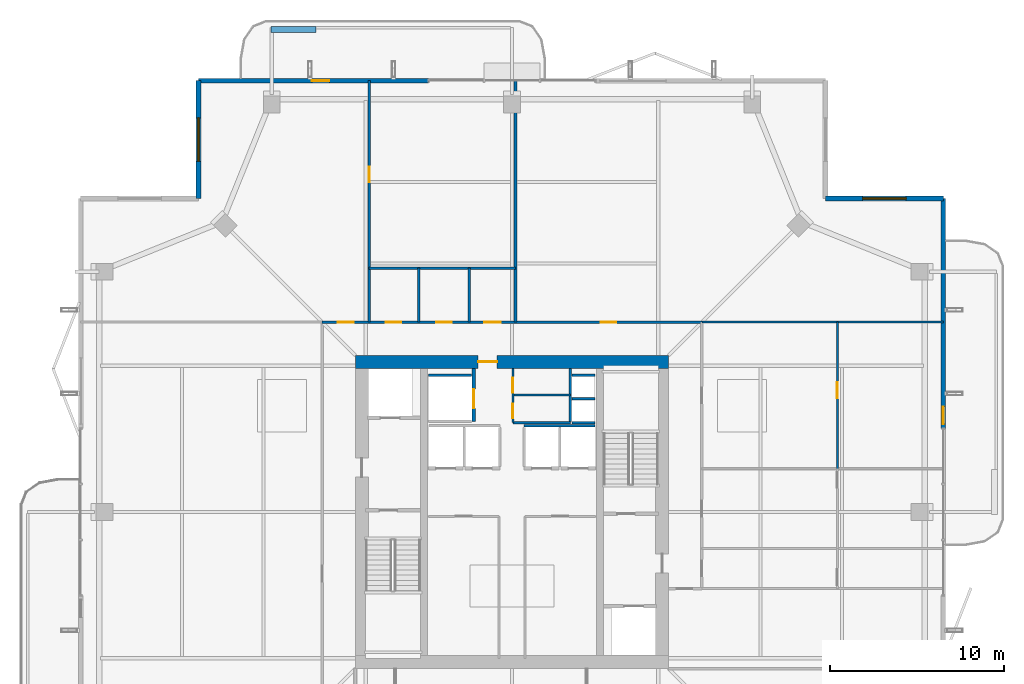
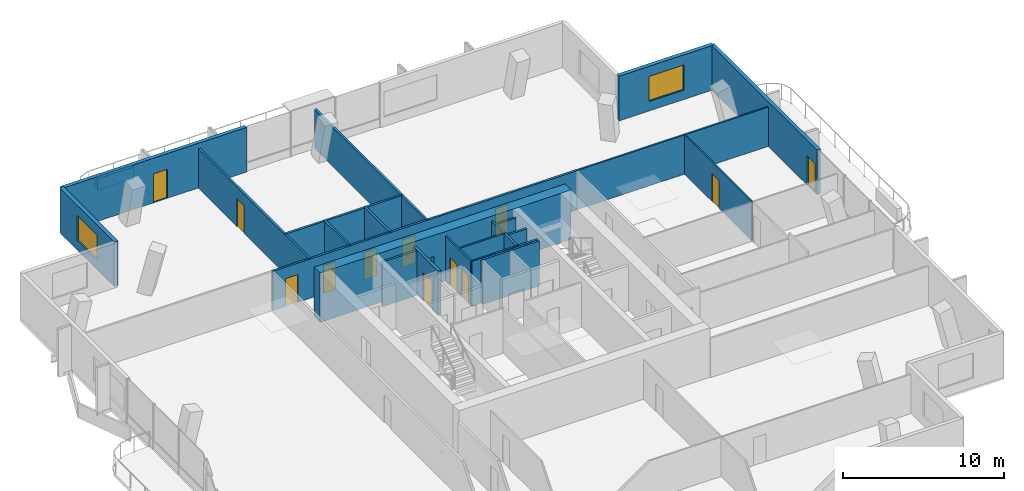
# One storey, part 20 of 25: 24 walls, 13 doors, 2 windows, 15 openings.
"""IFC4 building model written with IfcOpenShell, lengths in metres."""

import ifcopenshell
import ifcopenshell.guid

model = None  # the IFC model being written
_history = None  # IfcOwnerHistory: only IFC2X3 demands one
_inside = {}  # id of a spatial element -> (the spatial element, [elements in it])
_under = {}  # id of a project, library or spatial element -> (it, [spatial elements below it])
_declared = {}  # id of a project -> (the project, [libraries it declares])
_typed = {}  # id of a type object -> (the type object, [elements of that type])
_made_of = {}  # id of a material, layer set ... -> (it, [elements and type objects made of it])


def new_model(schema):
    """Start an empty IFC model of exactly this schema.

    Asked for "IFC4X3", IfcOpenShell would pick the latest addendum, in which some entities
    have other attributes; the version numbers below select the first issue.
    IFC2X3 requires an IfcOwnerHistory on every rooted entity: one is made here for all.
    """
    global model, _history
    if schema == "IFC4X3":
        model = ifcopenshell.file(schema_version=(4, 3, 0, 0))
    else:
        model = ifcopenshell.file(schema=schema)
    _inside.clear()
    _under.clear()
    _declared.clear()
    _typed.clear()
    _made_of.clear()
    _history = None
    if model.schema == "IFC2X3":
        org = make("IfcOrganization", Name="unknown")
        user = make(
            "IfcPersonAndOrganization",
            ThePerson=make("IfcPerson", FamilyName="unknown"),
            TheOrganization=org,
        )
        app = make(
            "IfcApplication",
            ApplicationDeveloper=org,
            Version="unknown",
            ApplicationFullName="unknown",
            ApplicationIdentifier="unknown",
        )
        _history = make(
            "IfcOwnerHistory",
            OwningUser=user,
            OwningApplication=app,
            ChangeAction="ADDED",
            CreationDate=0,
        )
    return model


def make(cls, **values):
    """One entity of the class cls with the attributes given. An attribute that is None is left unset."""
    return model.create_entity(
        cls, **{name: value for name, value in values.items() if value is not None}
    )


def rooted(cls, **values):
    """An entity with a GlobalId (a new one), such as an element, a storey or a relation."""
    return make(cls, GlobalId=ifcopenshell.guid.new(), OwnerHistory=_history, **values)


def si_unit(unit_type, name, prefix=None):
    """IfcSIUnit, for example si_unit("LENGTHUNIT", "METRE", prefix="MILLI")."""
    return make("IfcSIUnit", UnitType=unit_type, Prefix=prefix, Name=name)


def assignment(units):
    """IfcUnitAssignment: the units of a project."""
    return None if units is None else make("IfcUnitAssignment", Units=units)


def point(xyz):
    """IfcCartesianPoint."""
    return None if xyz is None else make("IfcCartesianPoint", Coordinates=xyz)


def direction(xyz):
    """IfcDirection."""
    return None if xyz is None else make("IfcDirection", DirectionRatios=xyz)


def frame(location, z_axis=None, x_axis=None):
    """IfcAxis2Placement3D, a coordinate frame: its origin and axes. An axis left out is left unset."""
    return make(
        "IfcAxis2Placement3D",
        Location=point(location),
        Axis=direction(z_axis),
        RefDirection=direction(x_axis),
    )


def frame_2d(location, x_axis=None):
    """IfcAxis2Placement2D, a coordinate frame in the plane: its origin and x axis."""
    return make(
        "IfcAxis2Placement2D", Location=point(location), RefDirection=direction(x_axis)
    )


def origin():
    """The frame at (0, 0, 0) with its axes left unset."""
    return frame((0.0, 0.0, 0.0))


def place(relative_to, where):
    """IfcLocalPlacement: puts the frame where relative to a parent placement (None: the world)."""
    return make(
        "IfcLocalPlacement", PlacementRelTo=relative_to, RelativePlacement=where
    )


def context(
    kind, dimensions, precision=None, world=None, true_north=None, identifier=None
):
    """IfcGeometricRepresentationContext, for example the 3D "Model" context."""
    return make(
        "IfcGeometricRepresentationContext",
        ContextIdentifier=identifier,
        ContextType=kind,
        CoordinateSpaceDimension=dimensions,
        Precision=precision,
        WorldCoordinateSystem=world,
        TrueNorth=true_north,
    )


def subcontext(parent, identifier, kind, view, scale=None):
    """IfcGeometricRepresentationSubContext, for example "Body" below "Model"."""
    return make(
        "IfcGeometricRepresentationSubContext",
        ContextIdentifier=identifier,
        ContextType=kind,
        ParentContext=parent,
        TargetScale=scale,
        TargetView=view,
    )


def project(units=None, contexts=None):
    """IfcProject with its units and contexts."""
    return rooted(
        "IfcProject",
        Name="project",
        RepresentationContexts=contexts,
        UnitsInContext=assignment(units),
    )


def spatial(cls, under=None, at=None, **own):
    """A site, building, storey or space (cls), placed at a placement, below another one or the project."""
    s = rooted(cls, ObjectPlacement=at, **own)
    if under is not None:
        _under.setdefault(under.id(), (under, []))[1].append(s)
    return s


def profile(cls, at=None, kind="AREA", **sizes):
    """A parametric profile (cls). Its sizes go by their IFC names, for example OverallWidth=200.0."""
    return make(cls, ProfileType=kind, Position=at, **sizes)


def rectangle(**sizes):
    """IfcRectangleProfileDef."""
    return profile("IfcRectangleProfileDef", **sizes)


def extrude(swept, where, along, depth):
    """IfcExtrudedAreaSolid: the profile swept, set in the frame where, extruded along a direction by depth."""
    return make(
        "IfcExtrudedAreaSolid",
        SweptArea=swept,
        Position=where,
        ExtrudedDirection=direction(along),
        Depth=depth,
    )


def shape(context_of_items, identifier, shape_type, items):
    """IfcShapeRepresentation: the items that make up one representation, for example the "Body"."""
    return make(
        "IfcShapeRepresentation",
        ContextOfItems=context_of_items,
        RepresentationIdentifier=identifier,
        RepresentationType=shape_type,
        Items=items,
    )


def material(Name=None, Category=None):
    """IfcMaterial."""
    return make("IfcMaterial", Name=Name, Category=Category)


def layer(
    of_material, thickness, ventilated=None, Name=None, Category=None, Priority=None
):
    """IfcMaterialLayer: one layer of a wall or slab, of a material (None: an air gap)."""
    return make(
        "IfcMaterialLayer",
        Material=of_material,
        LayerThickness=thickness,
        IsVentilated=ventilated,
        Name=Name,
        Category=Category,
        Priority=Priority,
    )


def layer_set(layers, Name=None):
    """IfcMaterialLayerSet."""
    return make("IfcMaterialLayerSet", MaterialLayers=layers, LayerSetName=Name)


def made_of(thing, what):
    """Note that an element or type object is made of a material, layer set ...; save() writes the relation."""
    if what is not None:
        _made_of.setdefault(what.id(), (what, []))[1].append(thing)
    return thing


def type_object(cls, material=None, **own):
    """A type object (cls), such as IfcWallType, which elements share."""
    return made_of(rooted(cls, **own), material)


def element(
    cls,
    number,
    at=None,
    inside=None,
    cuts=None,
    type_object=None,
    material=None,
    context=None,
    identifier="Body",
    shape_type=None,
    held_by="IfcProductDefinitionShape",
    body=None,
    shapes=None,
    **own,
):
    """One element of the class cls, such as IfcWall. Its Tag is "e" and its number.

    at: its placement. inside: the storey or other place that contains it. cuts: it is an
    opening in that element (IfcRelVoidsElement). A single representation is given by context,
    identifier, shape_type and body (its items); several are given by shapes. held_by: the class
    of the entity that holds the representations. save() writes the other relations.
    """
    e = rooted(cls, Tag="e%d" % number, ObjectPlacement=at, **own)
    if body is not None:
        shapes = [shape(context, identifier, shape_type, body)]
    if shapes is not None:
        e.Representation = make(held_by, Representations=shapes)
    if inside is not None:
        _inside.setdefault(inside.id(), (inside, []))[1].append(e)
    if cuts is not None:
        rooted(
            "IfcRelVoidsElement", RelatingBuildingElement=cuts, RelatedOpeningElement=e
        )
    if type_object is not None:
        _typed.setdefault(type_object.id(), (type_object, []))[1].append(e)
    return made_of(e, material)


def fill(opening, filler):
    """IfcRelFillsElement: the door or window that sits in an opening."""
    return rooted(
        "IfcRelFillsElement",
        RelatingOpeningElement=opening,
        RelatedBuildingElement=filler,
    )


def aggregate(whole, parts):
    """IfcRelAggregates: a whole, such as a stair, and the parts it consists of."""
    return rooted("IfcRelAggregates", RelatingObject=whole, RelatedObjects=parts)


def save(model, path):
    """Write the relations noted so far, then the file.

    IfcRelAggregates (storeys below a building ...), IfcRelContainedInSpatialStructure (elements
    in a storey), IfcRelDefinesByType, IfcRelAssociatesMaterial and IfcRelDeclares: one each for
    every whole, place, type object, material and project.
    """
    for whole, parts in _under.values():
        aggregate(whole, parts)
    for where, things in _inside.values():
        rooted(
            "IfcRelContainedInSpatialStructure",
            RelatedElements=things,
            RelatingStructure=where,
        )
    for kind, things in _typed.values():
        rooted("IfcRelDefinesByType", RelatedObjects=things, RelatingType=kind)
    for what, things in _made_of.values():
        rooted("IfcRelAssociatesMaterial", RelatedObjects=things, RelatingMaterial=what)
    for by, libraries in _declared.values():
        rooted("IfcRelDeclares", RelatingContext=by, RelatedDefinitions=libraries)
    model.write(path)


model = new_model("IFC4")

# Units and contexts
model_context = context("Model", 3, precision=1e-05, world=origin(), true_north=direction((0.0, 1.0)))
body_context = subcontext(model_context, "Body", "Model", "MODEL_VIEW")
ifc_project = project(units=[si_unit("LENGTHUNIT", "METRE"), si_unit("AREAUNIT", "SQUARE_METRE"), si_unit("VOLUMEUNIT", "CUBIC_METRE"), si_unit("PLANEANGLEUNIT", "RADIAN"), si_unit("MASSUNIT", "GRAM", prefix="KILO")], contexts=[model_context])

# Site, building, storey
site_placement = place(None, origin())
site = spatial("IfcSite", under=ifc_project, at=site_placement, CompositionType="ELEMENT")
building_placement = place(site_placement, origin())
building = spatial("IfcBuilding", under=site, at=building_placement, Name="Belovzor Exchange Tower", CompositionType="ELEMENT")
storey_placement = place(building_placement, frame((0.0, 0.0, 280.35009765625)))
storey = spatial("IfcBuildingStorey", under=building, at=storey_placement, Name="L70", CompositionType="ELEMENT", Elevation=280.35009765625)

# Wall
ifc_material_1 = material(Name="Acoustic Plasterboard on Galvanised Studs", Category="gypsum")
ifc_layer_1 = layer(ifc_material_1, 0.1201171875)
ifc_layer_set_1 = layer_set([ifc_layer_1], Name="Acoustic Plasterboard on Galvanised Studs")
wall_type_1 = type_object("IfcWallType", Name="Acoustic Double-Stud Partition Wall 120", PredefinedType="PARTITIONING", material=ifc_layer_set_1)
wall_1_placement = place(storey_placement, frame((39.699951171875, 39.699951171875, 0.0), z_axis=(0.0, 0.0, 1.0), x_axis=(1.0, 0.0, 0.0)))
element("IfcWall", 1, at=wall_1_placement, inside=storey, type_object=wall_type_1, Name="W-P120 Partition Wall W-L70-END-NE", PredefinedType="PARTITIONING", context=body_context, shape_type="SweptSolid", body=[
    extrude(rectangle(XDim=13.8701171875, YDim=0.1201171875, at=frame_2d((6.93505859375, 0.0))), origin(), (0.0, 0.0, 1.0), 2.974853515625),
])

# Wall, opening, door
ifc_material_2 = material(Name="Acoustic Laminated Glass and Aluminium", Category="aluminium")
ifc_layer_2 = layer(ifc_material_2, 0.10009765625)
ifc_layer_set_2 = layer_set([ifc_layer_2], Name="Acoustic Laminated Glass and Aluminium")
wall_type_2 = type_object("IfcWallType", Name="Demountable Executive Glass Partition 100", PredefinedType="MOVABLE", material=ifc_layer_set_2)
wall_2_placement = place(storey_placement, frame((47.485107421875, 31.281982421875, 0.0), z_axis=(0.0, 0.0, 1.0), x_axis=(0.0, 1.0, 0.0)))
wall_2 = element("IfcWall", 2, at=wall_2_placement, inside=storey, type_object=wall_type_2, Name="W-M100 Partition Wall W-L70-EHDIV-2", PredefinedType="MOVABLE", context=body_context, shape_type="SweptSolid", body=[
    extrude(rectangle(XDim=8.41796875, YDim=0.10009765625, at=frame_2d((4.208984375, 0.0))), origin(), (0.0, 0.0, 1.0), 2.974853515625),
])
opening_1_placement = place(wall_2_placement, frame((4.055908203125, 0.0, 0.0)))
opening_1 = element("IfcOpeningElement", 3, at=opening_1_placement, cuts=wall_2, Name="Opening D-INT-090", PredefinedType="OPENING", context=body_context, shape_type="SweptSolid", body=[
    extrude(rectangle(XDim=0.89990234375, YDim=2.10009765625, at=frame_2d((0.449951171875, 1.050048828125))), frame((0.0, 0.06005859375, 0.0), z_axis=(0.0, -1.0, 0.0), x_axis=(1.0, 0.0, 0.0)), (0.0, 0.0, 1.0), 0.1201171875),
])
ifc_material_3 = material(Name="Veneered Hardwood Acoustic Leaf", Category="wood")
door_type_1 = type_object("IfcDoorType", Name="Trading Suite Acoustic Single Door 900x2100", OperationType="NOTDEFINED", PredefinedType="DOOR", material=ifc_material_3)
door_1_placement = place(opening_1_placement, origin())
door_1 = element("IfcDoor", 4, at=door_1_placement, inside=storey, type_object=door_type_1, Name="D-INT-090 Trading Suite Acoustic Single Door 900x2100", OperationType="SINGLE_SWING_RIGHT", OverallHeight=2.10009765625, OverallWidth=0.89990234375, PredefinedType="DOOR", context=body_context, shape_type="SweptSolid", body=[
    extrude(rectangle(XDim=0.89990234375, YDim=2.10009765625, at=frame_2d((0.449951171875, 1.050048828125))), frame((0.0, 0.02490234375, 0.0), z_axis=(0.0, -1.0, 0.0), x_axis=(1.0, 0.0, 0.0)), (0.0, 0.0, 1.0), 0.050048828125),
])
fill(opening_1, door_1)

# Wall, openings, doors
ifc_material_4 = material(Name="Fire-Rated Plasterboard on Galvanised Studs", Category="gypsum")
ifc_layer_3 = layer(ifc_material_4, 0.1201171875)
ifc_layer_set_3 = layer_set([ifc_layer_3], Name="Fire-Rated Plasterboard on Galvanised Studs")
wall_type_3 = type_object("IfcWallType", Name="Fire-Rated Double-Stud Partition Wall 120", PredefinedType="PARTITIONING", material=ifc_layer_set_3)
wall_3_placement = place(storey_placement, frame((28.85009765625, 33.925048828125, 0.0), z_axis=(0.0, 0.0, 1.0), x_axis=(0.0, 1.0, 0.0)))
wall_3 = element("IfcWall", 5, at=wall_3_placement, inside=storey, type_object=wall_type_3, Name="W-P120F Partition Wall W-CRV-L70-W", PredefinedType="PARTITIONING", context=body_context, shape_type="SweptSolid", body=[
    extrude(rectangle(XDim=3.125, YDim=0.1201171875, at=frame_2d((1.5625, 0.0))), origin(), (0.0, 0.0, 1.0), 3.389892578125),
])
opening_2_placement = place(wall_3_placement, frame((0.25, 0.0, 0.0)))
opening_2 = element("IfcOpeningElement", 6, at=opening_2_placement, cuts=wall_3, Name="Opening D-FD60-085", PredefinedType="OPENING", context=body_context, shape_type="SweptSolid", body=[
    extrude(rectangle(XDim=0.85009765625, YDim=2.10009765625, at=frame_2d((0.425048828125, 1.050048828125))), frame((0.0, 0.070068359375, 0.0), z_axis=(0.0, -1.0, 0.0), x_axis=(1.0, 0.0, 0.0)), (0.0, 0.0, 1.0), 0.14013671875),
])
opening_3_placement = place(wall_3_placement, frame((1.719970703125, 0.0, 0.0)))
opening_3 = element("IfcOpeningElement", 7, at=opening_3_placement, cuts=wall_3, Name="Opening D-FD60-085", PredefinedType="OPENING", context=body_context, shape_type="SweptSolid", body=[
    extrude(rectangle(XDim=0.85009765625, YDim=2.10009765625, at=frame_2d((0.425048828125, 1.050048828125))), frame((0.0, 0.070068359375, 0.0), z_axis=(0.0, -1.0, 0.0), x_axis=(1.0, 0.0, 0.0)), (0.0, 0.0, 1.0), 0.14013671875),
])
ifc_material_5 = material(Name="Fire-Rated Steel Access Leaf", Category="steel")
door_type_2 = type_object("IfcDoorType", Name="Riser & Meter Closet Access Fire Door 850x2100", OperationType="NOTDEFINED", PredefinedType="DOOR", material=ifc_material_5)
door_2_placement = place(opening_2_placement, origin())
door_2 = element("IfcDoor", 8, at=door_2_placement, inside=storey, type_object=door_type_2, Name="D-FD60-085 Riser & Meter Closet Access Fire Door 850x2100", OperationType="SINGLE_SWING_LEFT", OverallHeight=2.10009765625, OverallWidth=0.85009765625, PredefinedType="DOOR", context=body_context, shape_type="SweptSolid", body=[
    extrude(rectangle(XDim=0.85009765625, YDim=2.10009765625, at=frame_2d((0.425048828125, 1.050048828125))), frame((0.0, 0.02490234375, 0.0), z_axis=(0.0, -1.0, 0.0), x_axis=(1.0, 0.0, 0.0)), (0.0, 0.0, 1.0), 0.050048828125),
])
fill(opening_2, door_2)
door_3_placement = place(opening_3_placement, origin())
door_3 = element("IfcDoor", 9, at=door_3_placement, inside=storey, type_object=door_type_2, Name="D-FD60-085 Riser & Meter Closet Access Fire Door 850x2100", OperationType="SINGLE_SWING_RIGHT", OverallHeight=2.10009765625, OverallWidth=0.85009765625, PredefinedType="DOOR", context=body_context, shape_type="SweptSolid", body=[
    extrude(rectangle(XDim=0.85009765625, YDim=2.10009765625, at=frame_2d((0.425048828125, 1.050048828125))), frame((0.0, 0.02490234375, 0.0), z_axis=(0.0, -1.0, 0.0), x_axis=(1.0, 0.0, 0.0)), (0.0, 0.0, 1.0), 0.050048828125),
])
fill(opening_3, door_3)

# Walls
for number, where, z_axis, x_axis, name in (
    (10, (28.85009765625, 35.52490234375, 0.0), (0.0, 0.0, 1.0), (1.0, 0.0, 0.0), "W-P120F Partition Wall W-CRV-L70-M"),
    (11, (28.85009765625, 33.925048828125, 0.0), (0.0, 0.0, 1.0), (1.0, 0.0, 0.0), "W-P120F Partition Wall W-CRV-L70-S"),
):
    element("IfcWall", number, at=place(storey_placement, frame(where, z_axis=z_axis, x_axis=x_axis)), inside=storey, type_object=wall_type_3, Name=name, PredefinedType="PARTITIONING", context=body_context, shape_type="SweptSolid", body=[
        extrude(rectangle(XDim=3.2998046875, YDim=0.1201171875, at=frame_2d((1.64990234375, 0.0))), origin(), (0.0, 0.0, 1.0), 3.389892578125),
    ])
ifc_material_6 = material(Name="Fire-Rated Gypsum Block and Mineral Wool", Category="gypsum")
ifc_layer_4 = layer(ifc_material_6, 0.14990234375)
ifc_layer_set_4 = layer_set([ifc_layer_4], Name="Fire-Rated Gypsum Block and Mineral Wool")
wall_type_4 = type_object("IfcWallType", Name="Fire-Rated Gypsum Block Corridor Wall 150", PredefinedType="PARTITIONING", material=ifc_layer_set_4)
wall_4_placement = place(storey_placement, frame((20.60009765625, 42.800048828125, 0.0), z_axis=(0.0, 0.0, 1.0), x_axis=(1.0, 0.0, 0.0)))
element("IfcWall", 12, at=wall_4_placement, inside=storey, type_object=wall_type_4, Name="W-P150 Partition Wall W-L70-WCN", PredefinedType="PARTITIONING", context=body_context, shape_type="SweptSolid", body=[
    extrude(rectangle(XDim=8.39990234375, YDim=0.14990234375, at=frame_2d((4.199951171875, 0.0))), origin(), (0.0, 0.0, 1.0), 2.974853515625),
])

# Wall, opening, door
wall_5_placement = place(storey_placement, frame((20.60009765625, 39.699951171875, 0.0), z_axis=(0.0, 0.0, 1.0), x_axis=(0.0, 1.0, 0.0)))
wall_5 = element("IfcWall", 13, at=wall_5_placement, inside=storey, type_object=wall_type_4, Name="W-P150 Partition Wall W-L70-WCW", PredefinedType="PARTITIONING", context=body_context, shape_type="SweptSolid", body=[
    extrude(rectangle(XDim=13.8701171875, YDim=0.14990234375, at=frame_2d((6.93505859375, 0.0))), origin(), (0.0, 0.0, 1.0), 2.974853515625),
])
opening_4_placement = place(wall_5_placement, frame((8.034912109375, 0.0, 0.0)))
opening_4 = element("IfcOpeningElement", 14, at=opening_4_placement, cuts=wall_5, Name="Opening D-INT-090", PredefinedType="OPENING", context=body_context, shape_type="SweptSolid", body=[
    extrude(rectangle(XDim=0.89990234375, YDim=2.10009765625, at=frame_2d((0.449951171875, 1.050048828125))), frame((0.0, 0.0849609375, 0.0), z_axis=(0.0, -1.0, 0.0), x_axis=(1.0, 0.0, 0.0)), (0.0, 0.0, 1.0), 0.169921875),
])
door_4_placement = place(opening_4_placement, origin())
door_4 = element("IfcDoor", 15, at=door_4_placement, inside=storey, type_object=door_type_1, Name="D-INT-090 Trading Suite Acoustic Single Door 900x2100", OperationType="SINGLE_SWING_LEFT", OverallHeight=2.10009765625, OverallWidth=0.89990234375, PredefinedType="DOOR", context=body_context, shape_type="SweptSolid", body=[
    extrude(rectangle(XDim=0.89990234375, YDim=2.10009765625, at=frame_2d((0.449951171875, 1.050048828125))), frame((0.0, 0.02490234375, 0.0), z_axis=(0.0, -1.0, 0.0), x_axis=(1.0, 0.0, 0.0)), (0.0, 0.0, 1.0), 0.050048828125),
])
fill(opening_4, door_4)

# Walls
wall_6_placement = place(storey_placement, frame((29.0, 39.699951171875, 0.0), z_axis=(0.0, 0.0, 1.0), x_axis=(0.0, 1.0, 0.0)))
element("IfcWall", 16, at=wall_6_placement, inside=storey, type_object=wall_type_4, Name="W-P150 Partition Wall W-L70-WCE", PredefinedType="PARTITIONING", context=body_context, shape_type="SweptSolid", body=[
    extrude(rectangle(XDim=13.8701171875, YDim=0.14990234375, at=frame_2d((6.93505859375, 0.0))), origin(), (0.0, 0.0, 1.0), 2.974853515625),
])
for number, where, z_axis, x_axis, name in (
    (17, (23.449951171875, 39.699951171875, 0.0), (0.0, 0.0, 1.0), (0.0, 1.0, 0.0), "W-P150 Partition Wall W-L70-WCD1"),
    (18, (26.35009765625, 39.699951171875, 0.0), (0.0, 0.0, 1.0), (0.0, 1.0, 0.0), "W-P150 Partition Wall W-L70-WCD2"),
):
    element("IfcWall", number, at=place(storey_placement, frame(where, z_axis=z_axis, x_axis=x_axis)), inside=storey, type_object=wall_type_4, Name=name, PredefinedType="PARTITIONING", context=body_context, shape_type="SweptSolid", body=[
        extrude(rectangle(XDim=3.10009765625, YDim=0.14990234375, at=frame_2d((1.550048828125, 0.0))), origin(), (0.0, 0.0, 1.0), 3.014892578125),
    ])

# Wall, openings, doors
wall_7_placement = place(storey_placement, frame((17.89990234375, 39.699951171875, 0.0), z_axis=(0.0, 0.0, 1.0), x_axis=(1.0, 0.0, 0.0)))
wall_7 = element("IfcWall", 19, at=wall_7_placement, inside=storey, type_object=wall_type_4, Name="W-P150 Partition Wall W-L70-CN", PredefinedType="PARTITIONING", context=body_context, shape_type="SweptSolid", body=[
    extrude(rectangle(XDim=21.800048828125, YDim=0.14990234375, at=frame_2d((10.89990234375, 0.0))), origin(), (0.0, 0.0, 1.0), 2.974853515625),
])
opening_5_placement = place(wall_7_placement, frame((0.89990234375, 0.0, 0.0)))
opening_5 = element("IfcOpeningElement", 20, at=opening_5_placement, cuts=wall_7, Name="Opening D-INT-090", PredefinedType="OPENING", context=body_context, shape_type="SweptSolid", body=[
    extrude(rectangle(XDim=0.89990234375, YDim=2.10009765625, at=frame_2d((0.449951171875, 1.050048828125))), frame((0.0, 0.0849609375, 0.0), z_axis=(0.0, -1.0, 0.0), x_axis=(1.0, 0.0, 0.0)), (0.0, 0.0, 1.0), 0.169921875),
])
opening_6_placement = place(wall_7_placement, frame((3.64990234375, 0.0, 0.0)))
opening_6 = element("IfcOpeningElement", 21, at=opening_6_placement, cuts=wall_7, Name="Opening D-FD60-090", PredefinedType="OPENING", context=body_context, shape_type="SweptSolid", body=[
    extrude(rectangle(XDim=0.89990234375, YDim=2.10009765625, at=frame_2d((0.449951171875, 1.050048828125))), frame((0.0, 0.0849609375, 0.0), z_axis=(0.0, -1.0, 0.0), x_axis=(1.0, 0.0, 0.0)), (0.0, 0.0, 1.0), 0.169921875),
])
opening_7_placement = place(wall_7_placement, frame((6.550048828125, 0.0, 0.0)))
opening_7 = element("IfcOpeningElement", 22, at=opening_7_placement, cuts=wall_7, Name="Opening D-FD60-090", PredefinedType="OPENING", context=body_context, shape_type="SweptSolid", body=[
    extrude(rectangle(XDim=0.89990234375, YDim=2.10009765625, at=frame_2d((0.449951171875, 1.050048828125))), frame((0.0, 0.0849609375, 0.0), z_axis=(0.0, -1.0, 0.0), x_axis=(1.0, 0.0, 0.0)), (0.0, 0.0, 1.0), 0.169921875),
])
opening_8_placement = place(wall_7_placement, frame((9.300048828125, 0.0, 0.0)))
opening_8 = element("IfcOpeningElement", 23, at=opening_8_placement, cuts=wall_7, Name="Opening D-FD60-095", PredefinedType="OPENING", context=body_context, shape_type="SweptSolid", body=[
    extrude(rectangle(XDim=0.949951171875, YDim=2.10009765625, at=frame_2d((0.47509765625, 1.050048828125))), frame((0.0, 0.0849609375, 0.0), z_axis=(0.0, -1.0, 0.0), x_axis=(1.0, 0.0, 0.0)), (0.0, 0.0, 1.0), 0.169921875),
])
opening_9_placement = place(wall_7_placement, frame((16.0, 0.0, 0.0)))
opening_9 = element("IfcOpeningElement", 24, at=opening_9_placement, cuts=wall_7, Name="Opening D-INT-090", PredefinedType="OPENING", context=body_context, shape_type="SweptSolid", body=[
    extrude(rectangle(XDim=0.89990234375, YDim=2.10009765625, at=frame_2d((0.449951171875, 1.050048828125))), frame((0.0, 0.0849609375, 0.0), z_axis=(0.0, -1.0, 0.0), x_axis=(1.0, 0.0, 0.0)), (0.0, 0.0, 1.0), 0.169921875),
])
ifc_material_7 = material(Name="Moisture-Resistant Timber Fire Leaf", Category="wood")
door_type_3 = type_object("IfcDoorType", Name="Accessible Restroom Wide Fire Door 950x2100", OperationType="NOTDEFINED", PredefinedType="DOOR", material=ifc_material_7)
door_5_placement = place(opening_8_placement, origin())
door_5 = element("IfcDoor", 25, at=door_5_placement, inside=storey, type_object=door_type_3, Name="D-FD60-095 Accessible Restroom Wide Fire Door 950x2100", OperationType="SINGLE_SWING_LEFT", OverallHeight=2.10009765625, OverallWidth=0.949951171875, PredefinedType="DOOR", context=body_context, shape_type="SweptSolid", body=[
    extrude(rectangle(XDim=0.949951171875, YDim=2.10009765625, at=frame_2d((0.47509765625, 1.050048828125))), frame((0.0, 0.02490234375, 0.0), z_axis=(0.0, -1.0, 0.0), x_axis=(1.0, 0.0, 0.0)), (0.0, 0.0, 1.0), 0.050048828125),
])
fill(opening_8, door_5)
ifc_material_8 = material(Name="Acoustic Timber Fire Leaf", Category="wood")
door_type_4 = type_object("IfcDoorType", Name="Core Service & Restroom Fire Door 900x2100", OperationType="NOTDEFINED", PredefinedType="DOOR", material=ifc_material_8)
door_6_placement = place(opening_6_placement, origin())
door_6 = element("IfcDoor", 26, at=door_6_placement, inside=storey, type_object=door_type_4, Name="D-FD60-090 Core Service & Restroom Fire Door 900x2100", OperationType="SINGLE_SWING_LEFT", OverallHeight=2.10009765625, OverallWidth=0.89990234375, PredefinedType="DOOR", context=body_context, shape_type="SweptSolid", body=[
    extrude(rectangle(XDim=0.89990234375, YDim=2.10009765625, at=frame_2d((0.449951171875, 1.050048828125))), frame((0.0, 0.02490234375, 0.0), z_axis=(0.0, -1.0, 0.0), x_axis=(1.0, 0.0, 0.0)), (0.0, 0.0, 1.0), 0.050048828125),
])
fill(opening_6, door_6)
door_7_placement = place(opening_7_placement, origin())
door_7 = element("IfcDoor", 27, at=door_7_placement, inside=storey, type_object=door_type_4, Name="D-FD60-090 Core Service & Restroom Fire Door 900x2100", OperationType="SINGLE_SWING_RIGHT", OverallHeight=2.10009765625, OverallWidth=0.89990234375, PredefinedType="DOOR", context=body_context, shape_type="SweptSolid", body=[
    extrude(rectangle(XDim=0.89990234375, YDim=2.10009765625, at=frame_2d((0.449951171875, 1.050048828125))), frame((0.0, 0.02490234375, 0.0), z_axis=(0.0, -1.0, 0.0), x_axis=(1.0, 0.0, 0.0)), (0.0, 0.0, 1.0), 0.050048828125),
])
fill(opening_7, door_7)
door_8_placement = place(opening_5_placement, origin())
door_8 = element("IfcDoor", 28, at=door_8_placement, inside=storey, type_object=door_type_1, Name="D-INT-090 Trading Suite Acoustic Single Door 900x2100", OperationType="SINGLE_SWING_LEFT", OverallHeight=2.10009765625, OverallWidth=0.89990234375, PredefinedType="DOOR", context=body_context, shape_type="SweptSolid", body=[
    extrude(rectangle(XDim=0.89990234375, YDim=2.10009765625, at=frame_2d((0.449951171875, 1.050048828125))), frame((0.0, 0.02490234375, 0.0), z_axis=(0.0, -1.0, 0.0), x_axis=(1.0, 0.0, 0.0)), (0.0, 0.0, 1.0), 0.050048828125),
])
fill(opening_5, door_8)
door_9_placement = place(opening_9_placement, origin())
door_9 = element("IfcDoor", 29, at=door_9_placement, inside=storey, type_object=door_type_1, Name="D-INT-090 Trading Suite Acoustic Single Door 900x2100", OperationType="SINGLE_SWING_RIGHT", OverallHeight=2.10009765625, OverallWidth=0.89990234375, PredefinedType="DOOR", context=body_context, shape_type="SweptSolid", body=[
    extrude(rectangle(XDim=0.89990234375, YDim=2.10009765625, at=frame_2d((0.449951171875, 1.050048828125))), frame((0.0, 0.02490234375, 0.0), z_axis=(0.0, -1.0, 0.0), x_axis=(1.0, 0.0, 0.0)), (0.0, 0.0, 1.0), 0.050048828125),
])
fill(opening_9, door_9)

# Wall, opening, window
ifc_material_9 = material(Name="Precast concrete C40/50", Category="concrete")
ifc_layer_5 = layer(ifc_material_9, 0.280029296875)
ifc_layer_set_5 = layer_set([ifc_layer_5], Name="Precast concrete C40/50")
wall_type_5 = type_object("IfcWallType", Name="Precast Concrete Notched Corner Frame Wall 280", PredefinedType="SOLIDWALL", material=ifc_layer_set_5)
wall_8_placement = place(storey_placement, frame((10.800048828125, 46.800048828125, 0.0), z_axis=(0.0, 0.0, 1.0), x_axis=(0.0, 1.0, 0.0)))
wall_8 = element("IfcWall", 30, at=wall_8_placement, inside=storey, type_object=wall_type_5, Name="W-CRN280 Precast Concrete Notched Corner Frame Wall 280 L70", PredefinedType="SOLIDWALL", context=body_context, shape_type="SweptSolid", body=[
    extrude(rectangle(XDim=6.77001953125, YDim=0.280029296875, at=frame_2d((3.385009765625, 0.0))), origin(), (0.0, 0.0, 1.0), 3.389892578125),
])
opening_10_placement = place(wall_8_placement, frame((2.135009765625, 0.0, 0.719970703125)))
opening_10 = element("IfcOpeningElement", 31, at=opening_10_placement, cuts=wall_8, Name="Opening WN-CRN250", PredefinedType="OPENING", context=body_context, shape_type="SweptSolid", body=[
    extrude(rectangle(XDim=2.5, YDim=1.89990234375, at=frame_2d((1.25, 0.949951171875))), frame((0.0, 0.14990234375, 0.0), z_axis=(0.0, -1.0, 0.0), x_axis=(1.0, 0.0, 0.0)), (0.0, 0.0, 1.0), 0.300048828125),
])
ifc_material_10 = material(Name="Thermally Broken Aluminium and Triple Glazing", Category="aluminium")
window_type = type_object("IfcWindowType", Name="Streamline Moderne Corner Wrap Ribbon Window 2500x1900", PartitioningType="SINGLE_PANEL", PredefinedType="WINDOW", material=ifc_material_10)
window_1_placement = place(opening_10_placement, origin())
window_1 = element("IfcWindow", 32, at=window_1_placement, inside=storey, type_object=window_type, Name="WN-CRN250 Streamline Moderne Corner Wrap Ribbon Window 2500x1900", OverallHeight=1.89990234375, OverallWidth=2.5, PartitioningType="SINGLE_PANEL", PredefinedType="WINDOW", context=body_context, shape_type="SweptSolid", body=[
    extrude(rectangle(XDim=2.5, YDim=1.89990234375, at=frame_2d((1.25, 0.949951171875))), frame((0.0, 0.030029296875, 0.0), z_axis=(0.0, -1.0, 0.0), x_axis=(1.0, 0.0, 0.0)), (0.0, 0.0, 1.0), 0.06005859375),
])
fill(opening_10, window_1)

wall_9_placement = place(storey_placement, frame((46.800048828125, 46.800048828125, 0.0), z_axis=(0.0, 0.0, 1.0), x_axis=(1.0, 0.0, 0.0)))
wall_9 = element("IfcWall", 33, at=wall_9_placement, inside=storey, type_object=wall_type_5, Name="W-CRN280 Precast Concrete Notched Corner Frame Wall 280 L70", PredefinedType="SOLIDWALL", context=body_context, shape_type="SweptSolid", body=[
    extrude(rectangle(XDim=6.77001953125, YDim=0.280029296875, at=frame_2d((3.385009765625, 0.0))), origin(), (0.0, 0.0, 1.0), 3.389892578125),
])
opening_11_placement = place(wall_9_placement, frame((2.135009765625, 0.0, 0.719970703125)))
opening_11 = element("IfcOpeningElement", 34, at=opening_11_placement, cuts=wall_9, Name="Opening WN-CRN250", PredefinedType="OPENING", context=body_context, shape_type="SweptSolid", body=[
    extrude(rectangle(XDim=2.5, YDim=1.89990234375, at=frame_2d((1.25, 0.949951171875))), frame((0.0, 0.14990234375, 0.0), z_axis=(0.0, -1.0, 0.0), x_axis=(1.0, 0.0, 0.0)), (0.0, 0.0, 1.0), 0.300048828125),
])
window_2_placement = place(opening_11_placement, origin())
window_2 = element("IfcWindow", 35, at=window_2_placement, inside=storey, type_object=window_type, Name="WN-CRN250 Streamline Moderne Corner Wrap Ribbon Window 2500x1900", OverallHeight=1.89990234375, OverallWidth=2.5, PartitioningType="SINGLE_PANEL", PredefinedType="WINDOW", context=body_context, shape_type="SweptSolid", body=[
    extrude(rectangle(XDim=2.5, YDim=1.89990234375, at=frame_2d((1.25, 0.949951171875))), frame((0.0, 0.030029296875, 0.0), z_axis=(0.0, -1.0, 0.0), x_axis=(1.0, 0.0, 0.0)), (0.0, 0.0, 1.0), 0.06005859375),
])
fill(opening_11, window_2)

# Wall, opening, door
ifc_material_11 = material(Name="Precast concrete C40/50", Category="concrete")
ifc_layer_6 = layer(ifc_material_11, 0.260009765625)
ifc_layer_set_6 = layer_set([ifc_layer_6], Name="Precast concrete C40/50")
wall_type_6 = type_object("IfcWallType", Name="Precast Concrete Perimeter Loggia Frame Wall 260", PredefinedType="SOLIDWALL", material=ifc_layer_set_6)
wall_10_placement = place(storey_placement, frame((10.800048828125, 53.570068359375, 0.0), z_axis=(0.0, 0.0, 1.0), x_axis=(1.0, 0.0, 0.0)))
wall_10 = element("IfcWall", 36, at=wall_10_placement, inside=storey, type_object=wall_type_6, Name="W-EXT260 Precast Concrete Perimeter Loggia Frame Wall 260 L70", PredefinedType="SOLIDWALL", context=body_context, shape_type="SweptSolid", body=[
    extrude(rectangle(XDim=13.199951171875, YDim=0.260009765625, at=frame_2d((6.60009765625, 0.0))), origin(), (0.0, 0.0, 1.0), 3.389892578125),
])
opening_12_placement = place(wall_10_placement, frame((6.51611328125, 0.0, 0.0)))
opening_12 = element("IfcOpeningElement", 37, at=opening_12_placement, cuts=wall_10, Name="Opening D-BAL100", PredefinedType="OPENING", context=body_context, shape_type="SweptSolid", body=[
    extrude(rectangle(XDim=1.0, YDim=2.199951171875, at=frame_2d((0.5, 1.10009765625))), frame((0.0, 0.139892578125, 0.0), z_axis=(0.0, -1.0, 0.0), x_axis=(1.0, 0.0, 0.0)), (0.0, 0.0, 1.0), 0.280029296875),
])
ifc_material_12 = material(Name="Thermally Broken Anodised Aluminium and Laminated Glass", Category="aluminium")
door_type_5 = type_object("IfcDoorType", Name="Planted Loggia Terrace Glazed Door 1000x2200", OperationType="SINGLE_SWING_LEFT", PredefinedType="DOOR", material=ifc_material_12)
door_10_placement = place(opening_12_placement, origin())
door_10 = element("IfcDoor", 38, at=door_10_placement, inside=storey, type_object=door_type_5, Name="D-BAL100 Balcony Terrace Door L70 N", OperationType="SINGLE_SWING_RIGHT", OverallHeight=2.199951171875, OverallWidth=1.0, PredefinedType="DOOR", context=body_context, shape_type="SweptSolid", body=[
    extrude(rectangle(XDim=1.0, YDim=2.199951171875, at=frame_2d((0.5, 1.10009765625))), frame((0.0, 0.02490234375, 0.0), z_axis=(0.0, -1.0, 0.0), x_axis=(1.0, 0.0, 0.0)), (0.0, 0.0, 1.0), 0.050048828125),
])
fill(opening_12, door_10)

wall_11_placement = place(storey_placement, frame((53.570068359375, 46.800048828125, 0.0), z_axis=(0.0, 0.0, 1.0), x_axis=(0.0, -1.0, 0.0)))
wall_11 = element("IfcWall", 39, at=wall_11_placement, inside=storey, type_object=wall_type_6, Name="W-EXT260 Precast Concrete Perimeter Loggia Frame Wall 260 L70", PredefinedType="SOLIDWALL", context=body_context, shape_type="SweptSolid", body=[
    extrude(rectangle(XDim=13.199951171875, YDim=0.260009765625, at=frame_2d((6.60009765625, 0.0))), origin(), (0.0, 0.0, 1.0), 3.389892578125),
])
opening_13_placement = place(wall_11_placement, frame((11.949951171875, 0.0, 0.0)))
opening_13 = element("IfcOpeningElement", 40, at=opening_13_placement, cuts=wall_11, Name="Opening D-BAL100", PredefinedType="OPENING", context=body_context, shape_type="SweptSolid", body=[
    extrude(rectangle(XDim=1.0, YDim=2.199951171875, at=frame_2d((0.5, 1.10009765625))), frame((0.0, 0.139892578125, 0.0), z_axis=(0.0, -1.0, 0.0), x_axis=(1.0, 0.0, 0.0)), (0.0, 0.0, 1.0), 0.280029296875),
])
door_11_placement = place(opening_13_placement, origin())
door_11 = element("IfcDoor", 41, at=door_11_placement, inside=storey, type_object=door_type_5, Name="D-BAL100 Balcony Terrace Door L70 E", OperationType="SINGLE_SWING_LEFT", OverallHeight=2.199951171875, OverallWidth=1.0, PredefinedType="DOOR", context=body_context, shape_type="SweptSolid", body=[
    extrude(rectangle(XDim=1.0, YDim=2.199951171875, at=frame_2d((0.5, 1.10009765625))), frame((0.0, 0.02490234375, 0.0), z_axis=(0.0, -1.0, 0.0), x_axis=(1.0, 0.0, 0.0)), (0.0, 0.0, 1.0), 0.050048828125),
])
fill(opening_13, door_11)

# Walls
ifc_material_13 = material(Name="Precast concrete C40/50", Category="concrete")
ifc_layer_7 = layer(ifc_material_13, 0.35009765625)
ifc_layer_set_7 = layer_set([ifc_layer_7], Name="Precast concrete C40/50")
wall_type_7 = type_object("IfcWallType", Name="Precast Concrete Structural Tree Planter Trough 350", PredefinedType="PARAPET", material=ifc_layer_set_7)
wall_12_placement = place(storey_placement, frame((14.949951171875, 56.5, 0.0), z_axis=(0.0, 0.0, 1.0), x_axis=(1.0, 0.0, 0.0)))
element("IfcWall", 42, at=wall_12_placement, inside=storey, type_object=wall_type_7, Name="PT-350 Precast Concrete Structural Tree Planter Trough 350 L70", PredefinedType="PARAPET", context=body_context, shape_type="SweptSolid", body=[
    extrude(rectangle(XDim=2.60009765625, YDim=0.35009765625, at=frame_2d((1.300048828125, 0.0))), origin(), (0.0, 0.0, 1.0), 0.89990234375),
])
ifc_material_14 = material(Name="Concrete C50/60", Category="concrete")
ifc_layer_8 = layer(ifc_material_14, 0.14990234375)
ifc_layer_set_8 = layer_set([ifc_layer_8], Name="Concrete C50/60")
wall_type_8 = type_object("IfcWallType", Name="Reinforced Concrete Core Riser Shear Wall 150", PredefinedType="SHEAR", material=ifc_layer_set_8)
wall_13_placement = place(storey_placement, frame((32.14990234375, 34.0, 0.0), z_axis=(0.0, 0.0, 1.0), x_axis=(0.0, 1.0, 0.0)))
element("IfcWall", 43, at=wall_13_placement, inside=storey, type_object=wall_type_8, Name="W-C150S Core Shaft Wall W-RSR-L70-E", PredefinedType="SHEAR", context=body_context, shape_type="SweptSolid", body=[
    extrude(rectangle(XDim=3.050048828125, YDim=0.14990234375, at=frame_2d((1.52490234375, 0.0))), origin(), (0.0, 0.0, 1.0), 3.389892578125),
])
for number, where, z_axis, x_axis, name in (
    (44, (32.25, 33.925048828125, 0.0), (0.0, 0.0, 1.0), (1.0, 0.0, 0.0), "W-C150S Core Shaft Wall W-RSR-L70-S"),
    (45, (32.25, 35.300048828125, 0.0), (0.0, 0.0, 1.0), (1.0, 0.0, 0.0), "W-C150S Core Shaft Wall W-RSR-L70-M"),
):
    element("IfcWall", number, at=place(storey_placement, frame(where, z_axis=z_axis, x_axis=x_axis)), inside=storey, type_object=wall_type_8, Name=name, PredefinedType="SHEAR", context=body_context, shape_type="SweptSolid", body=[
        extrude(rectangle(XDim=1.330078125, YDim=0.14990234375, at=frame_2d((0.6650390625, 0.0))), origin(), (0.0, 0.0, 1.0), 3.389892578125),
    ])
wall_14_placement = place(storey_placement, frame((24.0, 36.64990234375, 0.0), z_axis=(0.0, 0.0, 1.0), x_axis=(1.0, 0.0, 0.0)))
element("IfcWall", 46, at=wall_14_placement, inside=storey, type_object=wall_type_8, Name="W-C150S Core Shaft Wall W-SH-L70-SL-01N", PredefinedType="SHEAR", context=body_context, shape_type="SweptSolid", body=[
    extrude(rectangle(XDim=2.47998046875, YDim=0.14990234375, at=frame_2d((1.239990234375, 0.0))), origin(), (0.0, 0.0, 1.0), 3.389892578125),
])
wall_15_placement = place(storey_placement, frame((32.25, 36.64990234375, 0.0), z_axis=(0.0, 0.0, 1.0), x_axis=(1.0, 0.0, 0.0)))
element("IfcWall", 47, at=wall_15_placement, inside=storey, type_object=wall_type_8, Name="W-C150S Core Shaft Wall W-RSR-L70-N", PredefinedType="SHEAR", context=body_context, shape_type="SweptSolid", body=[
    extrude(rectangle(XDim=1.330078125, YDim=0.14990234375, at=frame_2d((0.6650390625, 0.0))), origin(), (0.0, 0.0, 1.0), 3.389892578125),
])
wall_16_placement = place(storey_placement, frame((29.5, 33.760009765625, 0.0), z_axis=(0.0, 0.0, 1.0), x_axis=(1.0, 0.0, 0.0)))
element("IfcWall", 48, at=wall_16_placement, inside=storey, type_object=wall_type_8, Name="W-C150S Core Shaft Wall W-SHB-L70-PLH-NE", PredefinedType="SHEAR", context=body_context, shape_type="SweptSolid", body=[
    extrude(rectangle(XDim=4.080078125, YDim=0.14990234375, at=frame_2d((2.0400390625, 0.0))), origin(), (0.0, 0.0, 1.0), 3.389892578125),
])

# Wall, opening, door
ifc_material_15 = material(Name="Concrete C50/60", Category="concrete")
ifc_layer_9 = layer(ifc_material_15, 0.199951171875)
ifc_layer_set_9 = layer_set([ifc_layer_9], Name="Concrete C50/60")
wall_type_9 = type_object("IfcWallType", Name="Reinforced Concrete Core Shaft Shear Wall 200", PredefinedType="SHEAR", material=ifc_layer_set_9)
wall_17_placement = place(storey_placement, frame((26.60009765625, 34.0, 0.0), z_axis=(0.0, 0.0, 1.0), x_axis=(0.0, 1.0, 0.0)))
wall_17 = element("IfcWall", 49, at=wall_17_placement, inside=storey, type_object=wall_type_9, Name="W-C200S Core Shaft Wall W-SH-L70-SL-01", PredefinedType="SHEAR", context=body_context, shape_type="SweptSolid", body=[
    extrude(rectangle(XDim=3.050048828125, YDim=0.199951171875, at=frame_2d((1.52490234375, 0.0))), origin(), (0.0, 0.0, 1.0), 3.389892578125),
])
opening_14_placement = place(wall_17_placement, frame((0.75, 0.0, 0.0)))
opening_14 = element("IfcOpeningElement", 50, at=opening_14_placement, cuts=wall_17, Name="Opening LD-110", PredefinedType="OPENING", context=body_context, shape_type="SweptSolid", body=[
    extrude(rectangle(XDim=1.10009765625, YDim=2.14990234375, at=frame_2d((0.550048828125, 1.074951171875))), frame((0.0, 0.10986328125, 0.0), z_axis=(0.0, -1.0, 0.0), x_axis=(1.0, 0.0, 0.0)), (0.0, 0.0, 1.0), 0.219970703125),
])
ifc_material_16 = material(Name="Stainless Steel Grade 304", Category="steel")
door_type_6 = type_object("IfcDoorType", Name="Automated Stainless Steel Lift Landing Door 1100x2150", OperationType="SLIDING_TO_RIGHT", PredefinedType="DOOR", material=ifc_material_16)
door_12_placement = place(opening_14_placement, origin())
door_12 = element("IfcDoor", 51, at=door_12_placement, inside=storey, type_object=door_type_6, Name="LD-110 Automated Stainless Steel Lift Landing Door 1100x2150", OperationType="SLIDING_TO_RIGHT", OverallHeight=2.14990234375, OverallWidth=1.10009765625, PredefinedType="DOOR", context=body_context, shape_type="SweptSolid", body=[
    extrude(rectangle(XDim=1.10009765625, YDim=2.14990234375, at=frame_2d((0.550048828125, 1.074951171875))), frame((0.0, 0.02490234375, 0.0), z_axis=(0.0, -1.0, 0.0), x_axis=(1.0, 0.0, 0.0)), (0.0, 0.0, 1.0), 0.050048828125),
])
fill(opening_14, door_12)

ifc_material_17 = material(Name="Concrete C50/60", Category="concrete")
ifc_layer_10 = layer(ifc_material_17, 0.75)
ifc_layer_set_10 = layer_set([ifc_layer_10], Name="Concrete C50/60")
wall_type_10 = type_object("IfcWallType", Name="Reinforced Concrete Core Shear Wall 750", PredefinedType="SHEAR", material=ifc_layer_set_10)
wall_18_placement = place(storey_placement, frame((19.800048828125, 37.425048828125, 0.0), z_axis=(0.0, 0.0, 1.0), x_axis=(1.0, 0.0, 0.0)))
wall_18 = element("IfcWall", 52, at=wall_18_placement, inside=storey, type_object=wall_type_10, Name="CW-S075 Core Shear Wall L70 N", PredefinedType="SHEAR", context=body_context, shape_type="SweptSolid", body=[
    extrude(rectangle(XDim=18.0, YDim=0.75, at=frame_2d((9.0, 0.0))), origin(), (0.0, 0.0, 1.0), 3.75),
])
opening_15_placement = place(wall_18_placement, frame((7.050048828125, 0.0, 0.0)))
opening_15 = element("IfcOpeningElement", 53, at=opening_15_placement, cuts=wall_18, Name="Opening D-FD90-110", PredefinedType="OPENING", context=body_context, shape_type="SweptSolid", body=[
    extrude(rectangle(XDim=1.10009765625, YDim=2.14990234375, at=frame_2d((0.550048828125, 1.074951171875))), frame((0.0, 0.385009765625, 0.0), z_axis=(0.0, -1.0, 0.0), x_axis=(1.0, 0.0, 0.0)), (0.0, 0.0, 1.0), 0.77001953125),
])
ifc_material_18 = material(Name="Fire-Rated Galvanised Steel Leaf", Category="steel")
door_type_7 = type_object("IfcDoorType", Name="Protected Escape Vestibule Fire Door 1100x2150", OperationType="NOTDEFINED", PredefinedType="DOOR", material=ifc_material_18)
door_13_placement = place(opening_15_placement, origin())
door_13 = element("IfcDoor", 54, at=door_13_placement, inside=storey, type_object=door_type_7, Name="D-FD90-110 Protected Escape Vestibule Fire Door 1100x2150", OperationType="SINGLE_SWING_LEFT", OverallHeight=2.14990234375, OverallWidth=1.10009765625, PredefinedType="DOOR", context=body_context, shape_type="SweptSolid", body=[
    extrude(rectangle(XDim=1.10009765625, YDim=2.14990234375, at=frame_2d((0.550048828125, 1.074951171875))), frame((0.0, 0.02490234375, 0.0), z_axis=(0.0, -1.0, 0.0), x_axis=(1.0, 0.0, 0.0)), (0.0, 0.0, 1.0), 0.050048828125),
])
fill(opening_15, door_13)

save(model, "model.ifc")
